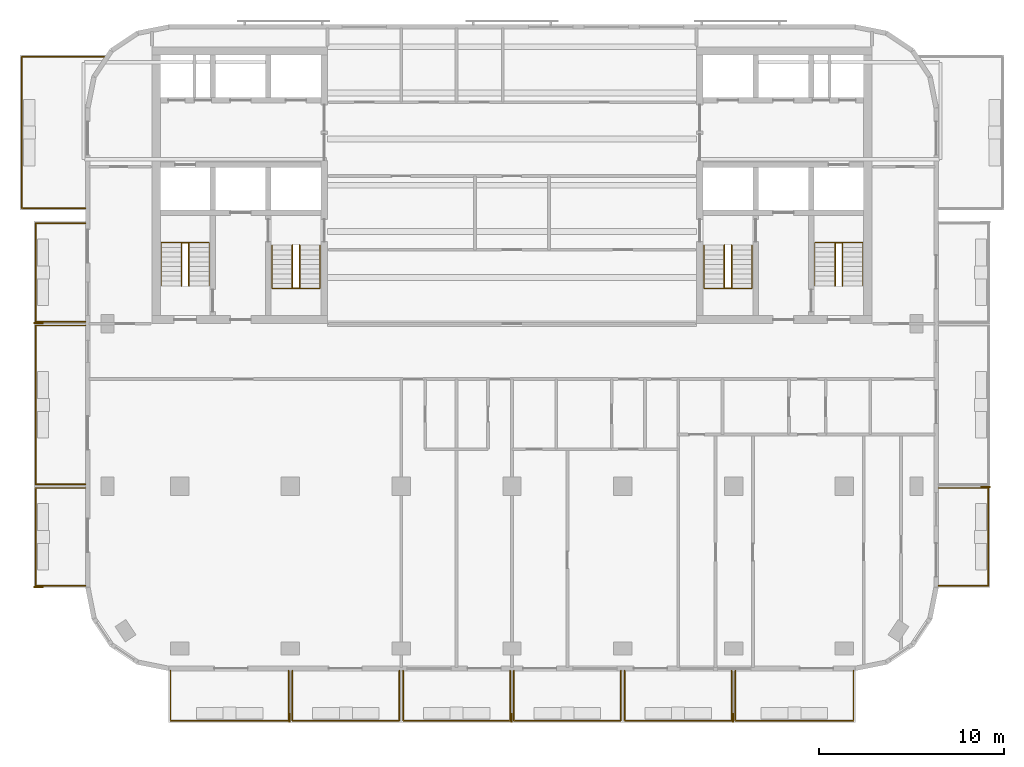
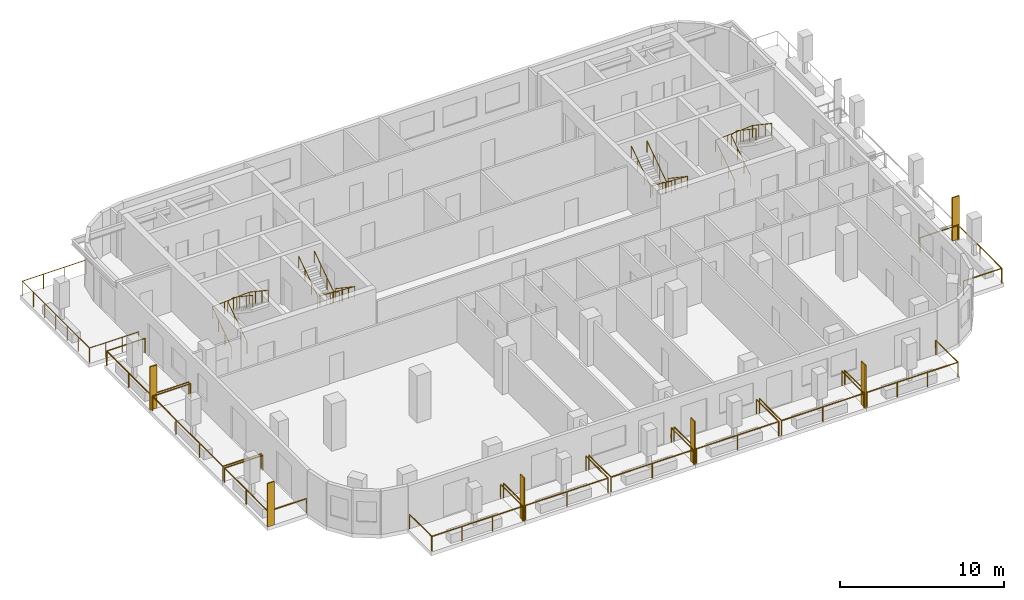
# One storey, part 8 of 10: 19 railings, 6 shading devices.
"""IFC4 building model written with IfcOpenShell, lengths in metres."""

from ifc_helpers import new_model, si_unit, direction, frame, origin, origin_2d, place, context, subcontext, project, spatial, rectangle, circle, extrude, material, layer, layer_set, type_object, element, save


model = new_model("IFC4")

# Units and contexts
model_context = context("Model", 3, precision=1e-05, world=origin(), true_north=direction((0.0, 1.0)))
body_context = subcontext(model_context, "Body", "Model", "MODEL_VIEW")
ifc_project = project(units=[si_unit("LENGTHUNIT", "METRE"), si_unit("AREAUNIT", "SQUARE_METRE"), si_unit("VOLUMEUNIT", "CUBIC_METRE"), si_unit("PLANEANGLEUNIT", "RADIAN"), si_unit("MASSUNIT", "GRAM", prefix="KILO")], contexts=[model_context])

# Site, building, storey
site_placement = place(None, origin())
site = spatial("IfcSite", under=ifc_project, at=site_placement, CompositionType="ELEMENT")
building_placement = place(site_placement, origin())
building = spatial("IfcBuilding", under=site, at=building_placement, Name="Torana Hotel and Residences", CompositionType="ELEMENT")
storey_placement = place(building_placement, frame((0.0, 0.0, 301.60009765625)))
storey = spatial("IfcBuildingStorey", under=building, at=storey_placement, Name="L80", CompositionType="ELEMENT", Elevation=301.60009765625)

# Shading devices
ifc_material_1 = material(Name="Black powder coated aluminium", Category="aluminium")
ifc_layer = layer(ifc_material_1, 0.080078125)
ifc_layer_set = layer_set([ifc_layer], Name="FN1 VERTICAL FIN 500x80")
shading_device_type = type_object("IfcShadingDeviceType", Name="FN1 VERTICAL FIN 500x80", PredefinedType="USERDEFINED", material=ifc_layer_set)
for number, where, z_axis, x_axis, name in (
    (1, (-12.0400390625, -36.35009765625, 0.0), (0.0, 0.0, 1.0), (-1.0, 0.0, 0.0), "Fin 01"),
    (2, (-0.0400390625, -36.35009765625, 0.0), (0.0, 0.0, 1.0), (-1.0, 0.0, 0.0), "Fin 03"),
    (3, (11.9599609375, -36.35009765625, 0.0), (0.0, 0.0, 1.0), (-1.0, 0.0, 0.0), "Fin 05"),
    (4, (-25.64990234375, -29.260009765625, 0.0), (0.0, 0.0, 1.0), (0.0, 1.0, 0.0), "Fin 07"),
    (5, (-25.64990234375, -14.9599609375, 0.0), (0.0, 0.0, 1.0), (0.0, 1.0, 0.0), "Fin 09"),
    (6, (25.64990234375, -23.840087890625, 0.0), (0.0, 0.0, 1.0), (0.0, -1.0, 0.0), "Fin 11"),
):
    element("IfcShadingDevice", number, at=place(storey_placement, frame(where, z_axis=z_axis, x_axis=x_axis)), inside=storey, type_object=shading_device_type, Name=name, ObjectType="FIN", PredefinedType="USERDEFINED", context=body_context, shape_type="SweptSolid", body=[
        extrude(rectangle(XDim=0.080078125, YDim=0.5, at=origin_2d()), origin(), (0.0, 0.0, 1.0), 3.219970703125),
    ])

# Railings
ifc_material_2 = material(Name="Laminated glass balustrade with black handrail", Category="glass")
railing_type_1 = type_object("IfcRailingType", Name="GR1 BALCONY GUARD 1100 GLASS", PredefinedType="GUARDRAIL", material=ifc_material_2)
railing_1_placement = place(storey_placement, frame((-12.10009765625, -33.800048828125, 0.0)))
element("IfcRailing", 7, at=railing_1_placement, inside=storey, type_object=railing_type_1, Name="Balcony guard 01", PredefinedType="GUARDRAIL", context=body_context, shape_type="SweptSolid", body=[
    extrude(circle(Radius=0.02392578125, at=origin_2d()), frame((0.0, 0.0, 1.076171875), z_axis=(0.0, -1.0, 0.0), x_axis=(1.0, 0.0, 0.0)), (0.0, 0.0, 1.0), 2.699951171875),
    extrude(circle(Radius=0.02392578125, at=origin_2d()), frame((0.0, -2.699951171875, 1.076171875), z_axis=(-1.0, 0.0, 0.0), x_axis=(0.0, -1.0, 0.0)), (0.0, 0.0, 1.0), 6.39990234375),
    extrude(circle(Radius=0.02392578125, at=origin_2d()), frame((-6.39990234375, -2.699951171875, 1.076171875), z_axis=(0.0, 1.0, 0.0), x_axis=(-1.0, 0.0, 0.0)), (0.0, 0.0, 1.0), 2.699951171875),
    extrude(circle(Radius=0.02099609375, at=origin_2d()), origin(), (0.0, 0.0, 1.0), 1.052001953125),
    extrude(circle(Radius=0.02099609375, at=origin_2d()), frame((0.0, -2.699951171875, 0.0)), (0.0, 0.0, 1.0), 1.052001953125),
    extrude(circle(Radius=0.02099609375, at=origin_2d()), frame((-2.13330078125, -2.699951171875, 0.0)), (0.0, 0.0, 1.0), 1.052001953125),
    extrude(circle(Radius=0.02099609375, at=origin_2d()), frame((-4.2666015625, -2.699951171875, 0.0)), (0.0, 0.0, 1.0), 1.052001953125),
    extrude(circle(Radius=0.02099609375, at=origin_2d()), frame((-6.39990234375, -2.699951171875, 0.0)), (0.0, 0.0, 1.0), 1.052001953125),
    extrude(circle(Radius=0.02099609375, at=origin_2d()), frame((-6.39990234375, 0.0, 0.0)), (0.0, 0.0, 1.0), 1.052001953125),
])
for number, where, name in (
    (8, (-6.10009765625, -33.800048828125, 0.0), "Balcony guard 02"),
    (9, (-0.10009765625, -33.800048828125, 0.0), "Balcony guard 03"),
    (10, (5.89990234375, -33.800048828125, 0.0), "Balcony guard 04"),
    (11, (11.89990234375, -33.800048828125, 0.0), "Balcony guard 05"),
):
    element("IfcRailing", number, at=place(storey_placement, frame(where)), inside=storey, type_object=railing_type_1, Name=name, PredefinedType="GUARDRAIL", context=body_context, shape_type="SweptSolid", body=[
        extrude(circle(Radius=0.02392578125, at=origin_2d()), frame((0.0, 0.0, 1.076171875), z_axis=(0.0, -1.0, 0.0), x_axis=(1.0, 0.0, 0.0)), (0.0, 0.0, 1.0), 2.699951171875),
        extrude(circle(Radius=0.02392578125, at=origin_2d()), frame((0.0, -2.699951171875, 1.076171875), z_axis=(-1.0, 0.0, 0.0), x_axis=(0.0, -1.0, 0.0)), (0.0, 0.0, 1.0), 5.7998046875),
        extrude(circle(Radius=0.02392578125, at=origin_2d()), frame((-5.7998046875, -2.699951171875, 1.076171875), z_axis=(0.0, 1.0, 0.0), x_axis=(-1.0, 0.0, 0.0)), (0.0, 0.0, 1.0), 2.699951171875),
        extrude(circle(Radius=0.02099609375, at=origin_2d()), origin(), (0.0, 0.0, 1.0), 1.052001953125),
        extrude(circle(Radius=0.02099609375, at=origin_2d()), frame((0.0, -2.699951171875, 0.0)), (0.0, 0.0, 1.0), 1.052001953125),
        extrude(circle(Radius=0.02099609375, at=origin_2d()), frame((-2.89990234375, -2.699951171875, 0.0)), (0.0, 0.0, 1.0), 1.052001953125),
        extrude(circle(Radius=0.02099609375, at=origin_2d()), frame((-5.7998046875, -2.699951171875, 0.0)), (0.0, 0.0, 1.0), 1.052001953125),
        extrude(circle(Radius=0.02099609375, at=origin_2d()), frame((-5.7998046875, 0.0, 0.0)), (0.0, 0.0, 1.0), 1.052001953125),
    ])
railing_2_placement = place(storey_placement, frame((18.5, -33.800048828125, 0.0)))
element("IfcRailing", 12, at=railing_2_placement, inside=storey, type_object=railing_type_1, Name="Balcony guard 06", PredefinedType="GUARDRAIL", context=body_context, shape_type="SweptSolid", body=[
    extrude(circle(Radius=0.02392578125, at=origin_2d()), frame((0.0, 0.0, 1.076171875), z_axis=(0.0, -1.0, 0.0), x_axis=(1.0, 0.0, 0.0)), (0.0, 0.0, 1.0), 2.699951171875),
    extrude(circle(Radius=0.02392578125, at=origin_2d()), frame((0.0, -2.699951171875, 1.076171875), z_axis=(-1.0, 0.0, 0.0), x_axis=(0.0, -1.0, 0.0)), (0.0, 0.0, 1.0), 6.39990234375),
    extrude(circle(Radius=0.02392578125, at=origin_2d()), frame((-6.39990234375, -2.699951171875, 1.076171875), z_axis=(0.0, 1.0, 0.0), x_axis=(-1.0, 0.0, 0.0)), (0.0, 0.0, 1.0), 2.699951171875),
    extrude(circle(Radius=0.02099609375, at=origin_2d()), origin(), (0.0, 0.0, 1.0), 1.052001953125),
    extrude(circle(Radius=0.02099609375, at=origin_2d()), frame((0.0, -2.699951171875, 0.0)), (0.0, 0.0, 1.0), 1.052001953125),
    extrude(circle(Radius=0.02099609375, at=origin_2d()), frame((-2.13330078125, -2.699951171875, 0.0)), (0.0, 0.0, 1.0), 1.052001953125),
    extrude(circle(Radius=0.02099609375, at=origin_2d()), frame((-4.2666015625, -2.699951171875, 0.0)), (0.0, 0.0, 1.0), 1.052001953125),
    extrude(circle(Radius=0.02099609375, at=origin_2d()), frame((-6.39990234375, -2.699951171875, 0.0)), (0.0, 0.0, 1.0), 1.052001953125),
    extrude(circle(Radius=0.02099609375, at=origin_2d()), frame((-6.39990234375, 0.0, 0.0)), (0.0, 0.0, 1.0), 1.052001953125),
])
railing_3_placement = place(storey_placement, frame((-23.10009765625, -29.199951171875, 0.0)))
element("IfcRailing", 13, at=railing_3_placement, inside=storey, type_object=railing_type_1, Name="Balcony guard 07", PredefinedType="GUARDRAIL", context=body_context, shape_type="SweptSolid", body=[
    extrude(circle(Radius=0.02392578125, at=origin_2d()), frame((0.0, 0.0, 1.076171875), z_axis=(-1.0, 0.0, 0.0), x_axis=(0.0, -1.0, 0.0)), (0.0, 0.0, 1.0), 2.699951171875),
    extrude(circle(Radius=0.02392578125, at=origin_2d()), frame((-2.699951171875, 0.0, 1.076171875), z_axis=(0.0, 1.0, 0.0), x_axis=(-1.0, 0.0, 0.0)), (0.0, 0.0, 1.0), 5.300048828125),
    extrude(circle(Radius=0.02392578125, at=origin_2d()), frame((-2.699951171875, 5.300048828125, 1.076171875), z_axis=(1.0, 0.0, 0.0), x_axis=(0.0, 1.0, 0.0)), (0.0, 0.0, 1.0), 2.699951171875),
    extrude(circle(Radius=0.02099609375, at=origin_2d()), origin(), (0.0, 0.0, 1.0), 1.052001953125),
    extrude(circle(Radius=0.02099609375, at=origin_2d()), frame((-2.699951171875, 0.0, 0.0)), (0.0, 0.0, 1.0), 1.052001953125),
    extrude(circle(Radius=0.02099609375, at=origin_2d()), frame((-2.699951171875, 2.64990234375, 0.0)), (0.0, 0.0, 1.0), 1.052001953125),
    extrude(circle(Radius=0.02099609375, at=origin_2d()), frame((-2.699951171875, 5.300048828125, 0.0)), (0.0, 0.0, 1.0), 1.052001953125),
    extrude(circle(Radius=0.02099609375, at=origin_2d()), frame((0.0, 5.300048828125, 0.0)), (0.0, 0.0, 1.0), 1.052001953125),
])
railing_4_placement = place(storey_placement, frame((-23.10009765625, -23.699951171875, 0.0)))
element("IfcRailing", 14, at=railing_4_placement, inside=storey, type_object=railing_type_1, Name="Balcony guard 08", PredefinedType="GUARDRAIL", context=body_context, shape_type="SweptSolid", body=[
    extrude(circle(Radius=0.02392578125, at=origin_2d()), frame((0.0, 0.0, 1.076171875), z_axis=(-1.0, 0.0, 0.0), x_axis=(0.0, -1.0, 0.0)), (0.0, 0.0, 1.0), 2.699951171875),
    extrude(circle(Radius=0.02392578125, at=origin_2d()), frame((-2.699951171875, 0.0, 1.076171875), z_axis=(0.0, 1.0, 0.0), x_axis=(-1.0, 0.0, 0.0)), (0.0, 0.0, 1.0), 8.599853515625),
    extrude(circle(Radius=0.02392578125, at=origin_2d()), frame((-2.699951171875, 8.599853515625, 1.076171875), z_axis=(1.0, 0.0, 0.0), x_axis=(0.0, 1.0, 0.0)), (0.0, 0.0, 1.0), 2.699951171875),
    extrude(circle(Radius=0.02099609375, at=origin_2d()), origin(), (0.0, 0.0, 1.0), 1.052001953125),
    extrude(circle(Radius=0.02099609375, at=origin_2d()), frame((-2.699951171875, 0.0, 0.0)), (0.0, 0.0, 1.0), 1.052001953125),
    extrude(circle(Radius=0.02099609375, at=origin_2d()), frame((-2.699951171875, 2.86669921875, 0.0)), (0.0, 0.0, 1.0), 1.052001953125),
    extrude(circle(Radius=0.02099609375, at=origin_2d()), frame((-2.699951171875, 5.733154296875, 0.0)), (0.0, 0.0, 1.0), 1.052001953125),
    extrude(circle(Radius=0.02099609375, at=origin_2d()), frame((-2.699951171875, 8.599853515625, 0.0)), (0.0, 0.0, 1.0), 1.052001953125),
    extrude(circle(Radius=0.02099609375, at=origin_2d()), frame((0.0, 8.599853515625, 0.0)), (0.0, 0.0, 1.0), 1.052001953125),
])
railing_5_placement = place(storey_placement, frame((-23.10009765625, -14.89990234375, 0.0)))
element("IfcRailing", 15, at=railing_5_placement, inside=storey, type_object=railing_type_1, Name="Balcony guard 09", PredefinedType="GUARDRAIL", context=body_context, shape_type="SweptSolid", body=[
    extrude(circle(Radius=0.02392578125, at=origin_2d()), frame((0.0, 0.0, 1.076171875), z_axis=(-1.0, 0.0, 0.0), x_axis=(0.0, -1.0, 0.0)), (0.0, 0.0, 1.0), 2.699951171875),
    extrude(circle(Radius=0.02392578125, at=origin_2d()), frame((-2.699951171875, 0.0, 1.076171875), z_axis=(0.0, 1.0, 0.0), x_axis=(-1.0, 0.0, 0.0)), (0.0, 0.0, 1.0), 5.349853515625),
    extrude(circle(Radius=0.02392578125, at=origin_2d()), frame((-2.699951171875, 5.349853515625, 1.076171875), z_axis=(1.0, 0.0, 0.0), x_axis=(0.0, 1.0, 0.0)), (0.0, 0.0, 1.0), 2.699951171875),
    extrude(circle(Radius=0.02099609375, at=origin_2d()), origin(), (0.0, 0.0, 1.0), 1.052001953125),
    extrude(circle(Radius=0.02099609375, at=origin_2d()), frame((-2.699951171875, 0.0, 0.0)), (0.0, 0.0, 1.0), 1.052001953125),
    extrude(circle(Radius=0.02099609375, at=origin_2d()), frame((-2.699951171875, 2.6748046875, 0.0)), (0.0, 0.0, 1.0), 1.052001953125),
    extrude(circle(Radius=0.02099609375, at=origin_2d()), frame((-2.699951171875, 5.349853515625, 0.0)), (0.0, 0.0, 1.0), 1.052001953125),
    extrude(circle(Radius=0.02099609375, at=origin_2d()), frame((0.0, 5.349853515625, 0.0)), (0.0, 0.0, 1.0), 1.052001953125),
])
railing_6_placement = place(storey_placement, frame((-23.10009765625, -8.75, 0.0)))
element("IfcRailing", 16, at=railing_6_placement, inside=storey, type_object=railing_type_1, Name="Balcony guard 10", PredefinedType="GUARDRAIL", context=body_context, shape_type="SweptSolid", body=[
    extrude(circle(Radius=0.02392578125, at=origin_2d()), frame((0.0, 0.0, 1.076171875), z_axis=(-1.0, 0.0, 0.0), x_axis=(0.0, -1.0, 0.0)), (0.0, 0.0, 1.0), 3.449951171875),
    extrude(circle(Radius=0.02392578125, at=origin_2d()), frame((-3.449951171875, 0.0, 1.076171875), z_axis=(0.0, 1.0, 0.0), x_axis=(-1.0, 0.0, 0.0)), (0.0, 0.0, 1.0), 8.199951171875),
    extrude(circle(Radius=0.02392578125, at=origin_2d()), frame((-3.449951171875, 8.199951171875, 1.076171875), z_axis=(1.0, 0.0, 0.0), x_axis=(0.0, 1.0, 0.0)), (0.0, 0.0, 1.0), 4.479248046875),
    extrude(circle(Radius=0.02099609375, at=origin_2d()), origin(), (0.0, 0.0, 1.0), 1.052001953125),
    extrude(circle(Radius=0.02099609375, at=origin_2d()), frame((-1.14990234375, 0.0, 0.0)), (0.0, 0.0, 1.0), 1.052001953125),
    extrude(circle(Radius=0.02099609375, at=origin_2d()), frame((-2.300048828125, 0.0, 0.0)), (0.0, 0.0, 1.0), 1.052001953125),
    extrude(circle(Radius=0.02099609375, at=origin_2d()), frame((-3.449951171875, 0.0, 0.0)), (0.0, 0.0, 1.0), 1.052001953125),
    extrude(circle(Radius=0.02099609375, at=origin_2d()), frame((-3.449951171875, 1.36669921875, 0.0)), (0.0, 0.0, 1.0), 1.052001953125),
    extrude(circle(Radius=0.02099609375, at=origin_2d()), frame((-3.449951171875, 2.7333984375, 0.0)), (0.0, 0.0, 1.0), 1.052001953125),
    extrude(circle(Radius=0.02099609375, at=origin_2d()), frame((-3.449951171875, 4.10009765625, 0.0)), (0.0, 0.0, 1.0), 1.052001953125),
    extrude(circle(Radius=0.02099609375, at=origin_2d()), frame((-3.449951171875, 5.466552734375, 0.0)), (0.0, 0.0, 1.0), 1.052001953125),
    extrude(circle(Radius=0.02099609375, at=origin_2d()), frame((-3.449951171875, 6.833251953125, 0.0)), (0.0, 0.0, 1.0), 1.052001953125),
    extrude(circle(Radius=0.02099609375, at=origin_2d()), frame((-3.449951171875, 8.199951171875, 0.0)), (0.0, 0.0, 1.0), 1.052001953125),
    extrude(circle(Radius=0.02099609375, at=origin_2d()), frame((-1.956787109375, 8.199951171875, 0.0)), (0.0, 0.0, 1.0), 1.052001953125),
    extrude(circle(Radius=0.02099609375, at=origin_2d()), frame((-0.4638671875, 8.199951171875, 0.0)), (0.0, 0.0, 1.0), 1.052001953125),
    extrude(circle(Radius=0.02099609375, at=origin_2d()), frame((1.029296875, 8.199951171875, 0.0)), (0.0, 0.0, 1.0), 1.052001953125),
])
railing_7_placement = place(storey_placement, frame((23.10009765625, -23.89990234375, 0.0)))
element("IfcRailing", 17, at=railing_7_placement, inside=storey, type_object=railing_type_1, Name="Balcony guard 11", PredefinedType="GUARDRAIL", context=body_context, shape_type="SweptSolid", body=[
    extrude(circle(Radius=0.02392578125, at=origin_2d()), frame((0.0, 0.0, 1.076171875), z_axis=(1.0, 0.0, 0.0), x_axis=(0.0, 1.0, 0.0)), (0.0, 0.0, 1.0), 2.699951171875),
    extrude(circle(Radius=0.02392578125, at=origin_2d()), frame((2.699951171875, 0.0, 1.076171875), z_axis=(0.0, -1.0, 0.0), x_axis=(1.0, 0.0, 0.0)), (0.0, 0.0, 1.0), 5.300048828125),
    extrude(circle(Radius=0.02392578125, at=origin_2d()), frame((2.699951171875, -5.300048828125, 1.076171875), z_axis=(-1.0, 0.0, 0.0), x_axis=(0.0, -1.0, 0.0)), (0.0, 0.0, 1.0), 2.699951171875),
    extrude(circle(Radius=0.02099609375, at=origin_2d()), origin(), (0.0, 0.0, 1.0), 1.052001953125),
    extrude(circle(Radius=0.02099609375, at=origin_2d()), frame((2.699951171875, 0.0, 0.0)), (0.0, 0.0, 1.0), 1.052001953125),
    extrude(circle(Radius=0.02099609375, at=origin_2d()), frame((2.699951171875, -2.64990234375, 0.0)), (0.0, 0.0, 1.0), 1.052001953125),
    extrude(circle(Radius=0.02099609375, at=origin_2d()), frame((2.699951171875, -5.300048828125, 0.0)), (0.0, 0.0, 1.0), 1.052001953125),
    extrude(circle(Radius=0.02099609375, at=origin_2d()), frame((0.0, -5.300048828125, 0.0)), (0.0, 0.0, 1.0), 1.052001953125),
])
ifc_material_3 = material(Name="Stainless steel 316", Category="steel")
railing_type_2 = type_object("IfcRailingType", Name="STAIR HANDRAIL HR1 900", PredefinedType="HANDRAIL", material=ifc_material_3)
railing_8_placement = place(storey_placement, frame((-10.39990234375, -10.75, 0.1748046875)))
element("IfcRailing", 18, at=railing_8_placement, inside=storey, type_object=railing_type_2, Name="Handrail ST1 L80 O1", PredefinedType="HANDRAIL", context=body_context, shape_type="SweptSolid", body=[
    extrude(circle(Radius=0.02392578125, at=origin_2d()), frame((0.0, 0.0, 0.8759765625), z_axis=(0.0, -0.829565388462, 0.558409586474), x_axis=(1.0, 0.0, 0.0)), (0.0, 0.0, 1.0), 2.82080078125),
    extrude(circle(Radius=0.02392578125, at=origin_2d()), frame((0.0, -2.340087890625, 2.451171875), z_axis=(-0.997747692642, 0.0, 0.067078624219), x_axis=(0.0, -1.0, 0.0)), (0.0, 0.0, 1.0), 2.60595703125),
    extrude(circle(Radius=0.02392578125, at=origin_2d()), frame((-2.60009765625, -2.340087890625, 2.6259765625), z_axis=(0.0, 0.829565388462, 0.558409586474), x_axis=(-1.0, 0.0, 0.0)), (0.0, 0.0, 1.0), 2.82080078125),
    extrude(circle(Radius=0.02099609375, at=origin_2d()), origin(), (0.0, 0.0, 1.0), 0.851806640625),
    extrude(circle(Radius=0.02099609375, at=origin_2d()), frame((0.0, -0.780029296875, 0.525146484375)), (0.0, 0.0, 1.0), 0.851806640625),
    extrude(circle(Radius=0.02099609375, at=origin_2d()), frame((0.0, -1.56005859375, 1.050048828125)), (0.0, 0.0, 1.0), 0.851806640625),
    extrude(circle(Radius=0.02099609375, at=origin_2d()), frame((0.0, -2.340087890625, 1.5751953125)), (0.0, 0.0, 1.0), 0.851806640625),
    extrude(circle(Radius=0.02099609375, at=origin_2d()), frame((-0.86669921875, -2.340087890625, 1.633544921875)), (0.0, 0.0, 1.0), 0.851806640625),
    extrude(circle(Radius=0.02099609375, at=origin_2d()), frame((-1.7333984375, -2.340087890625, 1.691650390625)), (0.0, 0.0, 1.0), 0.851806640625),
    extrude(circle(Radius=0.02099609375, at=origin_2d()), frame((-2.60009765625, -2.340087890625, 1.75)), (0.0, 0.0, 1.0), 0.851806640625),
    extrude(circle(Radius=0.02099609375, at=origin_2d()), frame((-2.60009765625, -1.56005859375, 2.275146484375)), (0.0, 0.0, 1.0), 0.851806640625),
    extrude(circle(Radius=0.02099609375, at=origin_2d()), frame((-2.60009765625, -0.780029296875, 2.800048828125)), (0.0, 0.0, 1.0), 0.851806640625),
    extrude(circle(Radius=0.02099609375, at=origin_2d()), frame((-2.60009765625, 0.0, 3.3251953125)), (0.0, 0.0, 1.0), 0.851806640625),
])
railing_9_placement = place(storey_placement, frame((-11.5, -10.75, 0.1748046875)))
element("IfcRailing", 19, at=railing_9_placement, inside=storey, type_object=railing_type_2, Name="Handrail ST1 L80 I1", PredefinedType="HANDRAIL", context=body_context, shape_type="SweptSolid", body=[
    extrude(circle(Radius=0.02392578125, at=origin_2d()), frame((0.0, 0.0, 0.8759765625), z_axis=(0.0, -0.829565388462, 0.558409586474), x_axis=(1.0, 0.0, 0.0)), (0.0, 0.0, 1.0), 2.82080078125),
    extrude(circle(Radius=0.02392578125, at=origin_2d()), frame((0.0, -2.340087890625, 2.451171875), z_axis=(-0.916285673175, 0.0, 0.400525361412), x_axis=(0.0, -1.0, 0.0)), (0.0, 0.0, 1.0), 0.4365234375),
    extrude(circle(Radius=0.02392578125, at=origin_2d()), frame((-0.39990234375, -2.340087890625, 2.6259765625), z_axis=(0.0, 0.829565388462, 0.558409586474), x_axis=(-1.0, 0.0, 0.0)), (0.0, 0.0, 1.0), 2.82080078125),
    extrude(circle(Radius=0.02099609375, at=origin_2d()), origin(), (0.0, 0.0, 1.0), 0.851806640625),
    extrude(circle(Radius=0.02099609375, at=origin_2d()), frame((0.0, -0.780029296875, 0.525146484375)), (0.0, 0.0, 1.0), 0.851806640625),
    extrude(circle(Radius=0.02099609375, at=origin_2d()), frame((0.0, -1.56005859375, 1.050048828125)), (0.0, 0.0, 1.0), 0.851806640625),
    extrude(circle(Radius=0.02099609375, at=origin_2d()), frame((0.0, -2.340087890625, 1.5751953125)), (0.0, 0.0, 1.0), 0.851806640625),
    extrude(circle(Radius=0.02099609375, at=origin_2d()), frame((-0.39990234375, -2.340087890625, 1.75)), (0.0, 0.0, 1.0), 0.851806640625),
    extrude(circle(Radius=0.02099609375, at=origin_2d()), frame((-0.39990234375, -1.56005859375, 2.275146484375)), (0.0, 0.0, 1.0), 0.851806640625),
    extrude(circle(Radius=0.02099609375, at=origin_2d()), frame((-0.39990234375, -0.780029296875, 2.800048828125)), (0.0, 0.0, 1.0), 0.851806640625),
    extrude(circle(Radius=0.02099609375, at=origin_2d()), frame((-0.39990234375, 0.0, 3.3251953125)), (0.0, 0.0, 1.0), 0.851806640625),
])
railing_10_placement = place(storey_placement, frame((-19.0, -12.949951171875, 0.1748046875)))
element("IfcRailing", 20, at=railing_10_placement, inside=storey, type_object=railing_type_2, Name="Handrail ST2 L80 O1", PredefinedType="HANDRAIL", context=body_context, shape_type="SweptSolid", body=[
    extrude(circle(Radius=0.02392578125, at=origin_2d()), frame((0.0, 0.0, 0.8759765625), z_axis=(0.0, 0.829538397957, 0.558449681095), x_axis=(-1.0, 0.0, 0.0)), (0.0, 0.0, 1.0), 2.820556640625),
    extrude(circle(Radius=0.02392578125, at=origin_2d()), frame((0.0, 2.33984375, 2.451171875), z_axis=(0.997747692642, 0.0, 0.067078624219), x_axis=(0.0, 1.0, 0.0)), (0.0, 0.0, 1.0), 2.60595703125),
    extrude(circle(Radius=0.02392578125, at=origin_2d()), frame((2.60009765625, 2.33984375, 2.6259765625), z_axis=(0.0, -0.829538397957, 0.558449681095), x_axis=(1.0, 0.0, 0.0)), (0.0, 0.0, 1.0), 2.820556640625),
    extrude(circle(Radius=0.02099609375, at=origin_2d()), origin(), (0.0, 0.0, 1.0), 0.851806640625),
    extrude(circle(Radius=0.02099609375, at=origin_2d()), frame((0.0, 0.780029296875, 0.525146484375)), (0.0, 0.0, 1.0), 0.851806640625),
    extrude(circle(Radius=0.02099609375, at=origin_2d()), frame((0.0, 1.559814453125, 1.050048828125)), (0.0, 0.0, 1.0), 0.851806640625),
    extrude(circle(Radius=0.02099609375, at=origin_2d()), frame((0.0, 2.33984375, 1.5751953125)), (0.0, 0.0, 1.0), 0.851806640625),
    extrude(circle(Radius=0.02099609375, at=origin_2d()), frame((0.86669921875, 2.33984375, 1.633544921875)), (0.0, 0.0, 1.0), 0.851806640625),
    extrude(circle(Radius=0.02099609375, at=origin_2d()), frame((1.7333984375, 2.33984375, 1.691650390625)), (0.0, 0.0, 1.0), 0.851806640625),
    extrude(circle(Radius=0.02099609375, at=origin_2d()), frame((2.60009765625, 2.33984375, 1.75)), (0.0, 0.0, 1.0), 0.851806640625),
    extrude(circle(Radius=0.02099609375, at=origin_2d()), frame((2.60009765625, 1.559814453125, 2.275146484375)), (0.0, 0.0, 1.0), 0.851806640625),
    extrude(circle(Radius=0.02099609375, at=origin_2d()), frame((2.60009765625, 0.780029296875, 2.800048828125)), (0.0, 0.0, 1.0), 0.851806640625),
    extrude(circle(Radius=0.02099609375, at=origin_2d()), frame((2.60009765625, 0.0, 3.3251953125)), (0.0, 0.0, 1.0), 0.851806640625),
])
railing_11_placement = place(storey_placement, frame((-17.89990234375, -12.949951171875, 0.1748046875)))
element("IfcRailing", 21, at=railing_11_placement, inside=storey, type_object=railing_type_2, Name="Handrail ST2 L80 I1", PredefinedType="HANDRAIL", context=body_context, shape_type="SweptSolid", body=[
    extrude(circle(Radius=0.02392578125, at=origin_2d()), frame((0.0, 0.0, 0.8759765625), z_axis=(0.0, 0.829538397957, 0.558449681095), x_axis=(-1.0, 0.0, 0.0)), (0.0, 0.0, 1.0), 2.820556640625),
    extrude(circle(Radius=0.02392578125, at=origin_2d()), frame((0.0, 2.33984375, 2.451171875), z_axis=(0.916285673175, 0.0, 0.400525361412), x_axis=(0.0, 1.0, 0.0)), (0.0, 0.0, 1.0), 0.4365234375),
    extrude(circle(Radius=0.02392578125, at=origin_2d()), frame((0.39990234375, 2.33984375, 2.6259765625), z_axis=(0.0, -0.829538397957, 0.558449681095), x_axis=(1.0, 0.0, 0.0)), (0.0, 0.0, 1.0), 2.820556640625),
    extrude(circle(Radius=0.02099609375, at=origin_2d()), origin(), (0.0, 0.0, 1.0), 0.851806640625),
    extrude(circle(Radius=0.02099609375, at=origin_2d()), frame((0.0, 0.780029296875, 0.525146484375)), (0.0, 0.0, 1.0), 0.851806640625),
    extrude(circle(Radius=0.02099609375, at=origin_2d()), frame((0.0, 1.559814453125, 1.050048828125)), (0.0, 0.0, 1.0), 0.851806640625),
    extrude(circle(Radius=0.02099609375, at=origin_2d()), frame((0.0, 2.33984375, 1.5751953125)), (0.0, 0.0, 1.0), 0.851806640625),
    extrude(circle(Radius=0.02099609375, at=origin_2d()), frame((0.39990234375, 2.33984375, 1.75)), (0.0, 0.0, 1.0), 0.851806640625),
    extrude(circle(Radius=0.02099609375, at=origin_2d()), frame((0.39990234375, 1.559814453125, 2.275146484375)), (0.0, 0.0, 1.0), 0.851806640625),
    extrude(circle(Radius=0.02099609375, at=origin_2d()), frame((0.39990234375, 0.780029296875, 2.800048828125)), (0.0, 0.0, 1.0), 0.851806640625),
    extrude(circle(Radius=0.02099609375, at=origin_2d()), frame((0.39990234375, 0.0, 3.3251953125)), (0.0, 0.0, 1.0), 0.851806640625),
])
railing_12_placement = place(storey_placement, frame((13.0, -10.75, 0.1748046875)))
element("IfcRailing", 22, at=railing_12_placement, inside=storey, type_object=railing_type_2, Name="Handrail ST3 L80 O1", PredefinedType="HANDRAIL", context=body_context, shape_type="SweptSolid", body=[
    extrude(circle(Radius=0.02392578125, at=origin_2d()), frame((0.0, 0.0, 0.8759765625), z_axis=(0.0, -0.829565388462, 0.558409586474), x_axis=(1.0, 0.0, 0.0)), (0.0, 0.0, 1.0), 2.82080078125),
    extrude(circle(Radius=0.02392578125, at=origin_2d()), frame((0.0, -2.340087890625, 2.451171875), z_axis=(-0.997747692642, 0.0, 0.067078624219), x_axis=(0.0, -1.0, 0.0)), (0.0, 0.0, 1.0), 2.60595703125),
    extrude(circle(Radius=0.02392578125, at=origin_2d()), frame((-2.60009765625, -2.340087890625, 2.6259765625), z_axis=(0.0, 0.829565388462, 0.558409586474), x_axis=(-1.0, 0.0, 0.0)), (0.0, 0.0, 1.0), 2.82080078125),
    extrude(circle(Radius=0.02099609375, at=origin_2d()), origin(), (0.0, 0.0, 1.0), 0.851806640625),
    extrude(circle(Radius=0.02099609375, at=origin_2d()), frame((0.0, -0.780029296875, 0.525146484375)), (0.0, 0.0, 1.0), 0.851806640625),
    extrude(circle(Radius=0.02099609375, at=origin_2d()), frame((0.0, -1.56005859375, 1.050048828125)), (0.0, 0.0, 1.0), 0.851806640625),
    extrude(circle(Radius=0.02099609375, at=origin_2d()), frame((0.0, -2.340087890625, 1.5751953125)), (0.0, 0.0, 1.0), 0.851806640625),
    extrude(circle(Radius=0.02099609375, at=origin_2d()), frame((-0.86669921875, -2.340087890625, 1.633544921875)), (0.0, 0.0, 1.0), 0.851806640625),
    extrude(circle(Radius=0.02099609375, at=origin_2d()), frame((-1.7333984375, -2.340087890625, 1.691650390625)), (0.0, 0.0, 1.0), 0.851806640625),
    extrude(circle(Radius=0.02099609375, at=origin_2d()), frame((-2.60009765625, -2.340087890625, 1.75)), (0.0, 0.0, 1.0), 0.851806640625),
    extrude(circle(Radius=0.02099609375, at=origin_2d()), frame((-2.60009765625, -1.56005859375, 2.275146484375)), (0.0, 0.0, 1.0), 0.851806640625),
    extrude(circle(Radius=0.02099609375, at=origin_2d()), frame((-2.60009765625, -0.780029296875, 2.800048828125)), (0.0, 0.0, 1.0), 0.851806640625),
    extrude(circle(Radius=0.02099609375, at=origin_2d()), frame((-2.60009765625, 0.0, 3.3251953125)), (0.0, 0.0, 1.0), 0.851806640625),
])
railing_13_placement = place(storey_placement, frame((11.89990234375, -10.75, 0.1748046875)))
element("IfcRailing", 23, at=railing_13_placement, inside=storey, type_object=railing_type_2, Name="Handrail ST3 L80 I1", PredefinedType="HANDRAIL", context=body_context, shape_type="SweptSolid", body=[
    extrude(circle(Radius=0.02392578125, at=origin_2d()), frame((0.0, 0.0, 0.8759765625), z_axis=(0.0, -0.829565388462, 0.558409586474), x_axis=(1.0, 0.0, 0.0)), (0.0, 0.0, 1.0), 2.82080078125),
    extrude(circle(Radius=0.02392578125, at=origin_2d()), frame((0.0, -2.340087890625, 2.451171875), z_axis=(-0.916285673175, 0.0, 0.400525361412), x_axis=(0.0, -1.0, 0.0)), (0.0, 0.0, 1.0), 0.4365234375),
    extrude(circle(Radius=0.02392578125, at=origin_2d()), frame((-0.39990234375, -2.340087890625, 2.6259765625), z_axis=(0.0, 0.829565388462, 0.558409586474), x_axis=(-1.0, 0.0, 0.0)), (0.0, 0.0, 1.0), 2.82080078125),
    extrude(circle(Radius=0.02099609375, at=origin_2d()), origin(), (0.0, 0.0, 1.0), 0.851806640625),
    extrude(circle(Radius=0.02099609375, at=origin_2d()), frame((0.0, -0.780029296875, 0.525146484375)), (0.0, 0.0, 1.0), 0.851806640625),
    extrude(circle(Radius=0.02099609375, at=origin_2d()), frame((0.0, -1.56005859375, 1.050048828125)), (0.0, 0.0, 1.0), 0.851806640625),
    extrude(circle(Radius=0.02099609375, at=origin_2d()), frame((0.0, -2.340087890625, 1.5751953125)), (0.0, 0.0, 1.0), 0.851806640625),
    extrude(circle(Radius=0.02099609375, at=origin_2d()), frame((-0.39990234375, -2.340087890625, 1.75)), (0.0, 0.0, 1.0), 0.851806640625),
    extrude(circle(Radius=0.02099609375, at=origin_2d()), frame((-0.39990234375, -1.56005859375, 2.275146484375)), (0.0, 0.0, 1.0), 0.851806640625),
    extrude(circle(Radius=0.02099609375, at=origin_2d()), frame((-0.39990234375, -0.780029296875, 2.800048828125)), (0.0, 0.0, 1.0), 0.851806640625),
    extrude(circle(Radius=0.02099609375, at=origin_2d()), frame((-0.39990234375, 0.0, 3.3251953125)), (0.0, 0.0, 1.0), 0.851806640625),
])
railing_14_placement = place(storey_placement, frame((16.39990234375, -12.949951171875, 0.1748046875)))
element("IfcRailing", 24, at=railing_14_placement, inside=storey, type_object=railing_type_2, Name="Handrail ST4 L80 O1", PredefinedType="HANDRAIL", context=body_context, shape_type="SweptSolid", body=[
    extrude(circle(Radius=0.02392578125, at=origin_2d()), frame((0.0, 0.0, 0.8759765625), z_axis=(0.0, 0.829538397957, 0.558449681095), x_axis=(-1.0, 0.0, 0.0)), (0.0, 0.0, 1.0), 2.820556640625),
    extrude(circle(Radius=0.02392578125, at=origin_2d()), frame((0.0, 2.33984375, 2.451171875), z_axis=(0.997747692642, 0.0, 0.067078624219), x_axis=(0.0, 1.0, 0.0)), (0.0, 0.0, 1.0), 2.60595703125),
    extrude(circle(Radius=0.02392578125, at=origin_2d()), frame((2.60009765625, 2.33984375, 2.6259765625), z_axis=(0.0, -0.829538397957, 0.558449681095), x_axis=(1.0, 0.0, 0.0)), (0.0, 0.0, 1.0), 2.820556640625),
    extrude(circle(Radius=0.02099609375, at=origin_2d()), origin(), (0.0, 0.0, 1.0), 0.851806640625),
    extrude(circle(Radius=0.02099609375, at=origin_2d()), frame((0.0, 0.780029296875, 0.525146484375)), (0.0, 0.0, 1.0), 0.851806640625),
    extrude(circle(Radius=0.02099609375, at=origin_2d()), frame((0.0, 1.559814453125, 1.050048828125)), (0.0, 0.0, 1.0), 0.851806640625),
    extrude(circle(Radius=0.02099609375, at=origin_2d()), frame((0.0, 2.33984375, 1.5751953125)), (0.0, 0.0, 1.0), 0.851806640625),
    extrude(circle(Radius=0.02099609375, at=origin_2d()), frame((0.86669921875, 2.33984375, 1.633544921875)), (0.0, 0.0, 1.0), 0.851806640625),
    extrude(circle(Radius=0.02099609375, at=origin_2d()), frame((1.7333984375, 2.33984375, 1.691650390625)), (0.0, 0.0, 1.0), 0.851806640625),
    extrude(circle(Radius=0.02099609375, at=origin_2d()), frame((2.60009765625, 2.33984375, 1.75)), (0.0, 0.0, 1.0), 0.851806640625),
    extrude(circle(Radius=0.02099609375, at=origin_2d()), frame((2.60009765625, 1.559814453125, 2.275146484375)), (0.0, 0.0, 1.0), 0.851806640625),
    extrude(circle(Radius=0.02099609375, at=origin_2d()), frame((2.60009765625, 0.780029296875, 2.800048828125)), (0.0, 0.0, 1.0), 0.851806640625),
    extrude(circle(Radius=0.02099609375, at=origin_2d()), frame((2.60009765625, 0.0, 3.3251953125)), (0.0, 0.0, 1.0), 0.851806640625),
])
railing_15_placement = place(storey_placement, frame((17.5, -12.949951171875, 0.1748046875)))
element("IfcRailing", 25, at=railing_15_placement, inside=storey, type_object=railing_type_2, Name="Handrail ST4 L80 I1", PredefinedType="HANDRAIL", context=body_context, shape_type="SweptSolid", body=[
    extrude(circle(Radius=0.02392578125, at=origin_2d()), frame((0.0, 0.0, 0.8759765625), z_axis=(0.0, 0.829538397957, 0.558449681095), x_axis=(-1.0, 0.0, 0.0)), (0.0, 0.0, 1.0), 2.820556640625),
    extrude(circle(Radius=0.02392578125, at=origin_2d()), frame((0.0, 2.33984375, 2.451171875), z_axis=(0.916285673175, 0.0, 0.400525361412), x_axis=(0.0, 1.0, 0.0)), (0.0, 0.0, 1.0), 0.4365234375),
    extrude(circle(Radius=0.02392578125, at=origin_2d()), frame((0.39990234375, 2.33984375, 2.6259765625), z_axis=(0.0, -0.829538397957, 0.558449681095), x_axis=(1.0, 0.0, 0.0)), (0.0, 0.0, 1.0), 2.820556640625),
    extrude(circle(Radius=0.02099609375, at=origin_2d()), origin(), (0.0, 0.0, 1.0), 0.851806640625),
    extrude(circle(Radius=0.02099609375, at=origin_2d()), frame((0.0, 0.780029296875, 0.525146484375)), (0.0, 0.0, 1.0), 0.851806640625),
    extrude(circle(Radius=0.02099609375, at=origin_2d()), frame((0.0, 1.559814453125, 1.050048828125)), (0.0, 0.0, 1.0), 0.851806640625),
    extrude(circle(Radius=0.02099609375, at=origin_2d()), frame((0.0, 2.33984375, 1.5751953125)), (0.0, 0.0, 1.0), 0.851806640625),
    extrude(circle(Radius=0.02099609375, at=origin_2d()), frame((0.39990234375, 2.33984375, 1.75)), (0.0, 0.0, 1.0), 0.851806640625),
    extrude(circle(Radius=0.02099609375, at=origin_2d()), frame((0.39990234375, 1.559814453125, 2.275146484375)), (0.0, 0.0, 1.0), 0.851806640625),
    extrude(circle(Radius=0.02099609375, at=origin_2d()), frame((0.39990234375, 0.780029296875, 2.800048828125)), (0.0, 0.0, 1.0), 0.851806640625),
    extrude(circle(Radius=0.02099609375, at=origin_2d()), frame((0.39990234375, 0.0, 3.3251953125)), (0.0, 0.0, 1.0), 0.851806640625),
])

save(model, "model.ifc")
